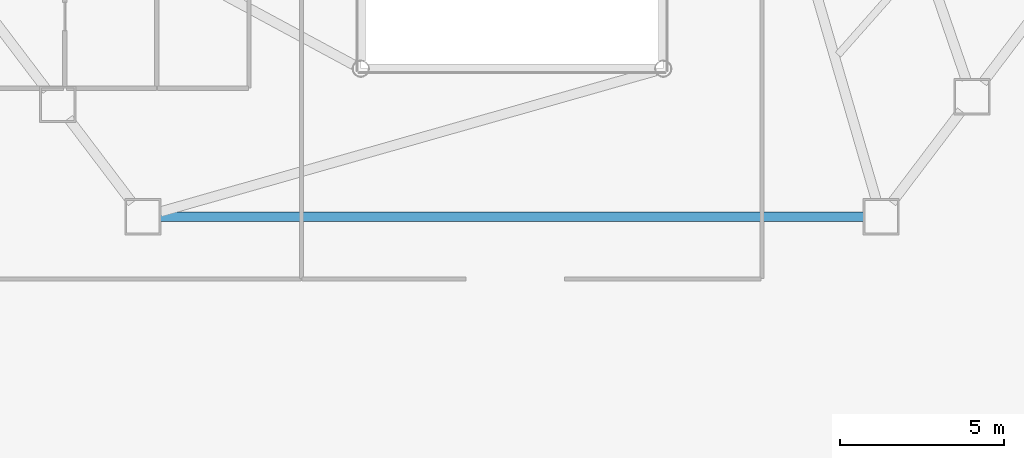
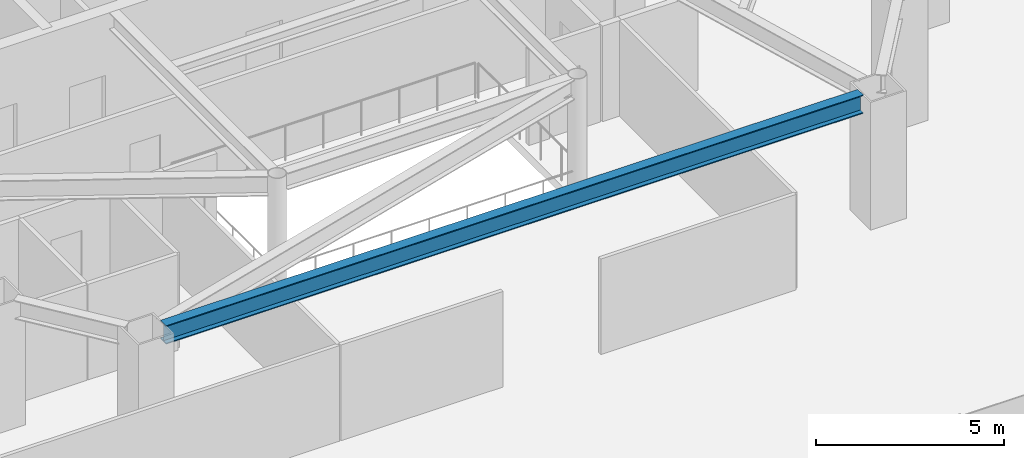
# One storey, part 14 of 37: 1 beam.
"""IFC4 building model written with IfcOpenShell, lengths in metres."""

from ifc_helpers import new_model, si_unit, direction, frame, origin, origin_2d, place, context, subcontext, project, spatial, i_section, extrude, material, material_profile, profile_set, type_object, element, save


model = new_model("IFC4")

# Units and contexts
model_context = context("Model", 3, precision=1e-05, world=origin(), true_north=direction((0.0, 1.0)))
body_context = subcontext(model_context, "Body", "Model", "MODEL_VIEW")
ifc_project = project(units=[si_unit("LENGTHUNIT", "METRE"), si_unit("AREAUNIT", "SQUARE_METRE"), si_unit("VOLUMEUNIT", "CUBIC_METRE"), si_unit("PLANEANGLEUNIT", "RADIAN"), si_unit("MASSUNIT", "GRAM", prefix="KILO")], contexts=[model_context])

# Site, building, storey
site_placement = place(None, origin())
site = spatial("IfcSite", under=ifc_project, at=site_placement, CompositionType="ELEMENT")
building_placement = place(site_placement, origin())
building = spatial("IfcBuilding", under=site, at=building_placement, Name="Zarrinselat Tower", CompositionType="ELEMENT")
storey_placement = place(building_placement, frame((0.0, 0.0, 9.52001953125)))
storey = spatial("IfcBuildingStorey", under=building, at=storey_placement, Name="L02", CompositionType="ELEMENT", Elevation=9.52001953125)

# Beam
ifc_material = material(Name="Steel S355J2", Category="steel")
ifc_material_profile = material_profile(ifc_material, i_section(OverallWidth=0.300048828125, OverallDepth=0.60009765625, WebThickness=0.015380859375, FlangeThickness=0.030029296875, at=origin_2d()), Name="HEB 600")
ifc_profile_set = profile_set([ifc_material_profile], Name="Steel S355J2")
beam_type = type_object("IfcBeamType", Name="BM-HEB600", PredefinedType="BEAM", material=ifc_profile_set)
beam_placement = place(storey_placement, frame((27.7109375, 19.89599609375, 3.840087890625), z_axis=(1.0, 0.0, 0.0), x_axis=(0.0, 1.0, 0.0)))
element("IfcBeam", 1, at=beam_placement, inside=storey, type_object=beam_type, Name="L02 Perimeter Spandrel Girder SP10", PredefinedType="BEAM", context=body_context, shape_type="SweptSolid", body=[
    extrude(i_section(OverallWidth=0.300048828125, OverallDepth=0.60009765625, WebThickness=0.015380859375, FlangeThickness=0.030029296875, at=origin_2d()), origin(), (0.0, 0.0, 1.0), 21.378173828125),
])

save(model, "model.ifc")
